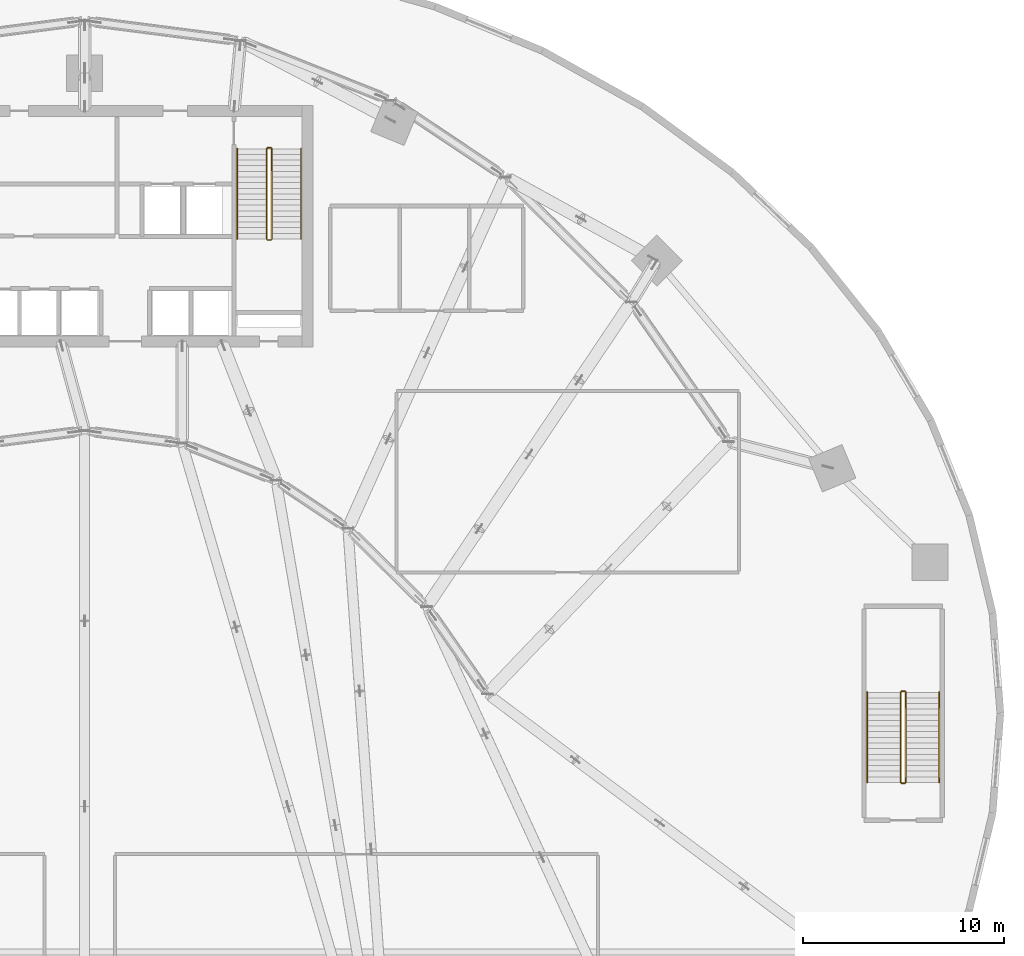
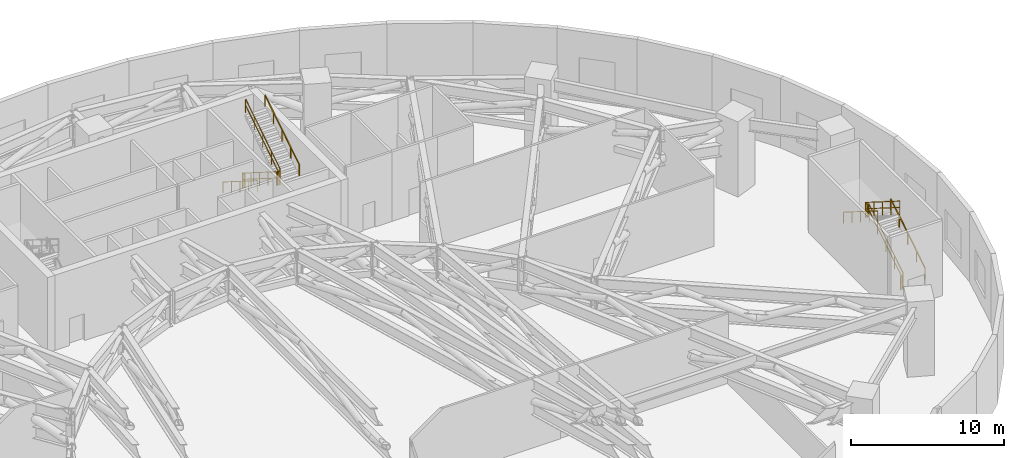
# One storey, part 19 of 19: 12 railings.
"""IFC4 building model written with IfcOpenShell, lengths in metres."""

from ifc_helpers import new_model, si_unit, direction, frame, origin, origin_2d, place, context, subcontext, project, spatial, rectangle, extrude, material, type_object, element, save


model = new_model("IFC4")

# Units and contexts
model_context = context("Model", 3, precision=1e-05, world=origin(), true_north=direction((0.0, 1.0)))
body_context = subcontext(model_context, "Body", "Model", "MODEL_VIEW")
ifc_project = project(units=[si_unit("LENGTHUNIT", "METRE"), si_unit("AREAUNIT", "SQUARE_METRE"), si_unit("VOLUMEUNIT", "CUBIC_METRE"), si_unit("PLANEANGLEUNIT", "RADIAN"), si_unit("MASSUNIT", "GRAM", prefix="KILO")], contexts=[model_context])

# Site, building, storey
site_placement = place(None, origin())
site = spatial("IfcSite", under=ifc_project, at=site_placement, CompositionType="ELEMENT")
building_placement = place(site_placement, origin())
building = spatial("IfcBuilding", under=site, at=building_placement, Name="Breltana Convention Tower", CompositionType="ELEMENT")
storey_placement = place(building_placement, frame((0.0, 0.0, 24.0)))
storey = spatial("IfcBuildingStorey", under=building, at=storey_placement, Name="L04", CompositionType="ELEMENT", Elevation=24.0)

# Railings
ifc_material_1 = material(Name="Steel S275 Painted", Category="steel")
railing_type_1 = type_object("IfcRailingType", Name="RL-STAIR-GUARD-1100", PredefinedType="GUARDRAIL", material=ifc_material_1)
railing_1_placement = place(storey_placement, frame((57.0400390625, 70.0400390625, 0.176513671875)))
element("IfcRailing", 1, at=railing_1_placement, inside=storey, type_object=railing_type_1, Name="L04 ST-2 stair guard 1", PredefinedType="GUARDRAIL", context=body_context, shape_type="SweptSolid", body=[
    extrude(rectangle(XDim=0.048095703125, YDim=0.048095703125, at=origin_2d()), frame((0.0, 0.0, 1.076171875), z_axis=(0.0, -0.845997938375, 0.533186166611), x_axis=(1.0, 0.0, 0.0)), (0.0, 0.0, 1.0), 5.29541015625),
    extrude(rectangle(XDim=0.048095703125, YDim=0.048095703125, at=origin_2d()), frame((0.0, 0.0, 0.572021484375), z_axis=(0.0, -0.845997938375, 0.533186166611), x_axis=(1.0, 0.0, 0.0)), (0.0, 0.0, 1.0), 5.29541015625),
    extrude(rectangle(XDim=0.0419921875, YDim=0.0419921875, at=origin_2d()), origin(), (0.0, 0.0, 1.0), 1.052001953125),
    extrude(rectangle(XDim=0.0419921875, YDim=0.0419921875, at=origin_2d()), frame((0.0, -1.1201171875, 0.705810546875)), (0.0, 0.0, 1.0), 1.052001953125),
    extrude(rectangle(XDim=0.0419921875, YDim=0.0419921875, at=origin_2d()), frame((0.0, -2.239990234375, 1.41162109375)), (0.0, 0.0, 1.0), 1.052001953125),
    extrude(rectangle(XDim=0.0419921875, YDim=0.0419921875, at=origin_2d()), frame((0.0, -3.35986328125, 2.11767578125)), (0.0, 0.0, 1.0), 1.052001953125),
    extrude(rectangle(XDim=0.0419921875, YDim=0.0419921875, at=origin_2d()), frame((0.0, -4.47998046875, 2.823486328125)), (0.0, 0.0, 1.0), 1.052001953125),
])
railing_2_placement = place(storey_placement, frame((57.090087890625, 65.510009765625, 3.0)))
element("IfcRailing", 2, at=railing_2_placement, inside=storey, type_object=railing_type_1, Name="L04 ST-2 stair guard 2", PredefinedType="GUARDRAIL", context=body_context, shape_type="SweptSolid", body=[
    extrude(rectangle(XDim=0.048095703125, YDim=0.048095703125, at=origin_2d()), frame((0.0, 0.0, 1.076171875), z_axis=(1.0, 0.0, 0.0), x_axis=(0.0, 1.0, 0.0)), (0.0, 0.0, 1.0), 0.14990234375),
    extrude(rectangle(XDim=0.048095703125, YDim=0.048095703125, at=origin_2d()), frame((0.0, 0.0, 0.572021484375), z_axis=(1.0, 0.0, 0.0), x_axis=(0.0, 1.0, 0.0)), (0.0, 0.0, 1.0), 0.14990234375),
    extrude(rectangle(XDim=0.0419921875, YDim=0.0419921875, at=origin_2d()), origin(), (0.0, 0.0, 1.0), 1.052001953125),
    extrude(rectangle(XDim=0.0419921875, YDim=0.0419921875, at=origin_2d()), frame((0.14990234375, 0.0, 0.0)), (0.0, 0.0, 1.0), 1.052001953125),
])
railing_3_placement = place(storey_placement, frame((57.2900390625, 65.56005859375, 3.176513671875)))
element("IfcRailing", 3, at=railing_3_placement, inside=storey, type_object=railing_type_1, Name="L04 ST-2 stair guard 3", PredefinedType="GUARDRAIL", context=body_context, shape_type="SweptSolid", body=[
    extrude(rectangle(XDim=0.048095703125, YDim=0.048095703125, at=origin_2d()), frame((0.0, 0.0, 1.076171875), z_axis=(0.0, 0.845997938375, 0.533186166611), x_axis=(-1.0, 0.0, 0.0)), (0.0, 0.0, 1.0), 5.29541015625),
    extrude(rectangle(XDim=0.048095703125, YDim=0.048095703125, at=origin_2d()), frame((0.0, 0.0, 0.572021484375), z_axis=(0.0, 0.845997938375, 0.533186166611), x_axis=(-1.0, 0.0, 0.0)), (0.0, 0.0, 1.0), 5.29541015625),
    extrude(rectangle(XDim=0.0419921875, YDim=0.0419921875, at=origin_2d()), origin(), (0.0, 0.0, 1.0), 1.052001953125),
    extrude(rectangle(XDim=0.0419921875, YDim=0.0419921875, at=origin_2d()), frame((0.0, 1.1201171875, 0.705810546875)), (0.0, 0.0, 1.0), 1.052001953125),
    extrude(rectangle(XDim=0.0419921875, YDim=0.0419921875, at=origin_2d()), frame((0.0, 2.239990234375, 1.41162109375)), (0.0, 0.0, 1.0), 1.052001953125),
    extrude(rectangle(XDim=0.0419921875, YDim=0.0419921875, at=origin_2d()), frame((0.0, 3.35986328125, 2.11767578125)), (0.0, 0.0, 1.0), 1.052001953125),
    extrude(rectangle(XDim=0.0419921875, YDim=0.0419921875, at=origin_2d()), frame((0.0, 4.47998046875, 2.823486328125)), (0.0, 0.0, 1.0), 1.052001953125),
])
railing_4_placement = place(storey_placement, frame((57.090087890625, 70.090087890625, 0.0)))
element("IfcRailing", 4, at=railing_4_placement, inside=storey, type_object=railing_type_1, Name="L04 ST-2 stair guard 4", PredefinedType="GUARDRAIL", context=body_context, shape_type="SweptSolid", body=[
    extrude(rectangle(XDim=0.048095703125, YDim=0.048095703125, at=origin_2d()), frame((0.0, 0.0, 1.076171875), z_axis=(1.0, 0.0, 0.0), x_axis=(0.0, 1.0, 0.0)), (0.0, 0.0, 1.0), 0.14990234375),
    extrude(rectangle(XDim=0.048095703125, YDim=0.048095703125, at=origin_2d()), frame((0.0, 0.0, 0.572021484375), z_axis=(1.0, 0.0, 0.0), x_axis=(0.0, 1.0, 0.0)), (0.0, 0.0, 1.0), 0.14990234375),
    extrude(rectangle(XDim=0.0419921875, YDim=0.0419921875, at=origin_2d()), origin(), (0.0, 0.0, 1.0), 1.052001953125),
    extrude(rectangle(XDim=0.0419921875, YDim=0.0419921875, at=origin_2d()), frame((0.14990234375, 0.0, 0.0)), (0.0, 0.0, 1.0), 1.052001953125),
])
railing_5_placement = place(storey_placement, frame((88.7900390625, 38.56005859375, 0.176513671875)))
element("IfcRailing", 5, at=railing_5_placement, inside=storey, type_object=railing_type_1, Name="L04 ST-4 stair guard 1", PredefinedType="GUARDRAIL", context=body_context, shape_type="SweptSolid", body=[
    extrude(rectangle(XDim=0.048095703125, YDim=0.048095703125, at=origin_2d()), frame((0.0, 0.0, 1.076171875), z_axis=(0.0, 0.845997938375, 0.533186166611), x_axis=(-1.0, 0.0, 0.0)), (0.0, 0.0, 1.0), 5.29541015625),
    extrude(rectangle(XDim=0.048095703125, YDim=0.048095703125, at=origin_2d()), frame((0.0, 0.0, 0.572021484375), z_axis=(0.0, 0.845997938375, 0.533186166611), x_axis=(-1.0, 0.0, 0.0)), (0.0, 0.0, 1.0), 5.29541015625),
    extrude(rectangle(XDim=0.0419921875, YDim=0.0419921875, at=origin_2d()), origin(), (0.0, 0.0, 1.0), 1.052001953125),
    extrude(rectangle(XDim=0.0419921875, YDim=0.0419921875, at=origin_2d()), frame((0.0, 1.1201171875, 0.705810546875)), (0.0, 0.0, 1.0), 1.052001953125),
    extrude(rectangle(XDim=0.0419921875, YDim=0.0419921875, at=origin_2d()), frame((0.0, 2.239990234375, 1.41162109375)), (0.0, 0.0, 1.0), 1.052001953125),
    extrude(rectangle(XDim=0.0419921875, YDim=0.0419921875, at=origin_2d()), frame((0.0, 3.35986328125, 2.11767578125)), (0.0, 0.0, 1.0), 1.052001953125),
    extrude(rectangle(XDim=0.0419921875, YDim=0.0419921875, at=origin_2d()), frame((0.0, 4.47998046875, 2.823486328125)), (0.0, 0.0, 1.0), 1.052001953125),
])
railing_6_placement = place(storey_placement, frame((88.739990234375, 43.090087890625, 3.0)))
element("IfcRailing", 6, at=railing_6_placement, inside=storey, type_object=railing_type_1, Name="L04 ST-4 stair guard 2", PredefinedType="GUARDRAIL", context=body_context, shape_type="SweptSolid", body=[
    extrude(rectangle(XDim=0.048095703125, YDim=0.048095703125, at=origin_2d()), frame((0.0, 0.0, 1.076171875), z_axis=(-1.0, 0.0, 0.0), x_axis=(0.0, -1.0, 0.0)), (0.0, 0.0, 1.0), 0.14990234375),
    extrude(rectangle(XDim=0.048095703125, YDim=0.048095703125, at=origin_2d()), frame((0.0, 0.0, 0.572021484375), z_axis=(-1.0, 0.0, 0.0), x_axis=(0.0, -1.0, 0.0)), (0.0, 0.0, 1.0), 0.14990234375),
    extrude(rectangle(XDim=0.0419921875, YDim=0.0419921875, at=origin_2d()), origin(), (0.0, 0.0, 1.0), 1.052001953125),
    extrude(rectangle(XDim=0.0419921875, YDim=0.0419921875, at=origin_2d()), frame((-0.14990234375, 0.0, 0.0)), (0.0, 0.0, 1.0), 1.052001953125),
])
railing_7_placement = place(storey_placement, frame((88.5400390625, 43.0400390625, 3.176513671875)))
element("IfcRailing", 7, at=railing_7_placement, inside=storey, type_object=railing_type_1, Name="L04 ST-4 stair guard 3", PredefinedType="GUARDRAIL", context=body_context, shape_type="SweptSolid", body=[
    extrude(rectangle(XDim=0.048095703125, YDim=0.048095703125, at=origin_2d()), frame((0.0, 0.0, 1.076171875), z_axis=(0.0, -0.845997938375, 0.533186166611), x_axis=(1.0, 0.0, 0.0)), (0.0, 0.0, 1.0), 5.29541015625),
    extrude(rectangle(XDim=0.048095703125, YDim=0.048095703125, at=origin_2d()), frame((0.0, 0.0, 0.572021484375), z_axis=(0.0, -0.845997938375, 0.533186166611), x_axis=(1.0, 0.0, 0.0)), (0.0, 0.0, 1.0), 5.29541015625),
    extrude(rectangle(XDim=0.0419921875, YDim=0.0419921875, at=origin_2d()), origin(), (0.0, 0.0, 1.0), 1.052001953125),
    extrude(rectangle(XDim=0.0419921875, YDim=0.0419921875, at=origin_2d()), frame((0.0, -1.1201171875, 0.705810546875)), (0.0, 0.0, 1.0), 1.052001953125),
    extrude(rectangle(XDim=0.0419921875, YDim=0.0419921875, at=origin_2d()), frame((0.0, -2.239990234375, 1.41162109375)), (0.0, 0.0, 1.0), 1.052001953125),
    extrude(rectangle(XDim=0.0419921875, YDim=0.0419921875, at=origin_2d()), frame((0.0, -3.35986328125, 2.11767578125)), (0.0, 0.0, 1.0), 1.052001953125),
    extrude(rectangle(XDim=0.0419921875, YDim=0.0419921875, at=origin_2d()), frame((0.0, -4.47998046875, 2.823486328125)), (0.0, 0.0, 1.0), 1.052001953125),
])
railing_8_placement = place(storey_placement, frame((88.739990234375, 38.510009765625, 0.0)))
element("IfcRailing", 8, at=railing_8_placement, inside=storey, type_object=railing_type_1, Name="L04 ST-4 stair guard 4", PredefinedType="GUARDRAIL", context=body_context, shape_type="SweptSolid", body=[
    extrude(rectangle(XDim=0.048095703125, YDim=0.048095703125, at=origin_2d()), frame((0.0, 0.0, 1.076171875), z_axis=(-1.0, 0.0, 0.0), x_axis=(0.0, -1.0, 0.0)), (0.0, 0.0, 1.0), 0.14990234375),
    extrude(rectangle(XDim=0.048095703125, YDim=0.048095703125, at=origin_2d()), frame((0.0, 0.0, 0.572021484375), z_axis=(-1.0, 0.0, 0.0), x_axis=(0.0, -1.0, 0.0)), (0.0, 0.0, 1.0), 0.14990234375),
    extrude(rectangle(XDim=0.0419921875, YDim=0.0419921875, at=origin_2d()), origin(), (0.0, 0.0, 1.0), 1.052001953125),
    extrude(rectangle(XDim=0.0419921875, YDim=0.0419921875, at=origin_2d()), frame((-0.14990234375, 0.0, 0.0)), (0.0, 0.0, 1.0), 1.052001953125),
])
ifc_material_2 = material(Name="Stainless Steel 316L", Category="steel")
railing_type_2 = type_object("IfcRailingType", Name="RL-STAIR-HANDRAIL-900", PredefinedType="HANDRAIL", material=ifc_material_2)
railing_9_placement = place(storey_placement, frame((55.580078125, 70.0400390625, 0.176513671875)))
element("IfcRailing", 9, at=railing_9_placement, inside=storey, type_object=railing_type_2, Name="L04 ST-2 stair handrail 1", PredefinedType="HANDRAIL", context=body_context, shape_type="SweptSolid", body=[
    extrude(rectangle(XDim=0.048095703125, YDim=0.048095703125, at=origin_2d()), frame((0.0, 0.0, 0.8759765625), z_axis=(0.0, -0.845997938375, 0.533186166611), x_axis=(1.0, 0.0, 0.0)), (0.0, 0.0, 1.0), 5.29541015625),
    extrude(rectangle(XDim=0.0419921875, YDim=0.0419921875, at=origin_2d()), origin(), (0.0, 0.0, 1.0), 0.851806640625),
    extrude(rectangle(XDim=0.0419921875, YDim=0.0419921875, at=origin_2d()), frame((0.0, -1.1201171875, 0.705810546875)), (0.0, 0.0, 1.0), 0.851806640625),
    extrude(rectangle(XDim=0.0419921875, YDim=0.0419921875, at=origin_2d()), frame((0.0, -2.239990234375, 1.41162109375)), (0.0, 0.0, 1.0), 0.851806640625),
    extrude(rectangle(XDim=0.0419921875, YDim=0.0419921875, at=origin_2d()), frame((0.0, -3.35986328125, 2.11767578125)), (0.0, 0.0, 1.0), 0.851806640625),
    extrude(rectangle(XDim=0.0419921875, YDim=0.0419921875, at=origin_2d()), frame((0.0, -4.47998046875, 2.823486328125)), (0.0, 0.0, 1.0), 0.851806640625),
])
for number, where, name in (
    (10, (58.75, 65.56005859375, 3.176513671875), "L04 ST-2 stair handrail 2"),
    (11, (90.449951171875, 38.56005859375, 0.176513671875), "L04 ST-4 stair handrail 1"),
):
    element("IfcRailing", number, at=place(storey_placement, frame(where)), inside=storey, type_object=railing_type_2, Name=name, PredefinedType="HANDRAIL", context=body_context, shape_type="SweptSolid", body=[
        extrude(rectangle(XDim=0.048095703125, YDim=0.048095703125, at=origin_2d()), frame((0.0, 0.0, 0.8759765625), z_axis=(0.0, 0.845997938375, 0.533186166611), x_axis=(-1.0, 0.0, 0.0)), (0.0, 0.0, 1.0), 5.29541015625),
        extrude(rectangle(XDim=0.0419921875, YDim=0.0419921875, at=origin_2d()), origin(), (0.0, 0.0, 1.0), 0.851806640625),
        extrude(rectangle(XDim=0.0419921875, YDim=0.0419921875, at=origin_2d()), frame((0.0, 1.1201171875, 0.705810546875)), (0.0, 0.0, 1.0), 0.851806640625),
        extrude(rectangle(XDim=0.0419921875, YDim=0.0419921875, at=origin_2d()), frame((0.0, 2.239990234375, 1.41162109375)), (0.0, 0.0, 1.0), 0.851806640625),
        extrude(rectangle(XDim=0.0419921875, YDim=0.0419921875, at=origin_2d()), frame((0.0, 3.35986328125, 2.11767578125)), (0.0, 0.0, 1.0), 0.851806640625),
        extrude(rectangle(XDim=0.0419921875, YDim=0.0419921875, at=origin_2d()), frame((0.0, 4.47998046875, 2.823486328125)), (0.0, 0.0, 1.0), 0.851806640625),
    ])
railing_10_placement = place(storey_placement, frame((86.8798828125, 43.0400390625, 3.176513671875)))
element("IfcRailing", 12, at=railing_10_placement, inside=storey, type_object=railing_type_2, Name="L04 ST-4 stair handrail 2", PredefinedType="HANDRAIL", context=body_context, shape_type="SweptSolid", body=[
    extrude(rectangle(XDim=0.048095703125, YDim=0.048095703125, at=origin_2d()), frame((0.0, 0.0, 0.8759765625), z_axis=(0.0, -0.845997938375, 0.533186166611), x_axis=(1.0, 0.0, 0.0)), (0.0, 0.0, 1.0), 5.29541015625),
    extrude(rectangle(XDim=0.0419921875, YDim=0.0419921875, at=origin_2d()), origin(), (0.0, 0.0, 1.0), 0.851806640625),
    extrude(rectangle(XDim=0.0419921875, YDim=0.0419921875, at=origin_2d()), frame((0.0, -1.1201171875, 0.705810546875)), (0.0, 0.0, 1.0), 0.851806640625),
    extrude(rectangle(XDim=0.0419921875, YDim=0.0419921875, at=origin_2d()), frame((0.0, -2.239990234375, 1.41162109375)), (0.0, 0.0, 1.0), 0.851806640625),
    extrude(rectangle(XDim=0.0419921875, YDim=0.0419921875, at=origin_2d()), frame((0.0, -3.35986328125, 2.11767578125)), (0.0, 0.0, 1.0), 0.851806640625),
    extrude(rectangle(XDim=0.0419921875, YDim=0.0419921875, at=origin_2d()), frame((0.0, -4.47998046875, 2.823486328125)), (0.0, 0.0, 1.0), 0.851806640625),
])

save(model, "model.ifc")
